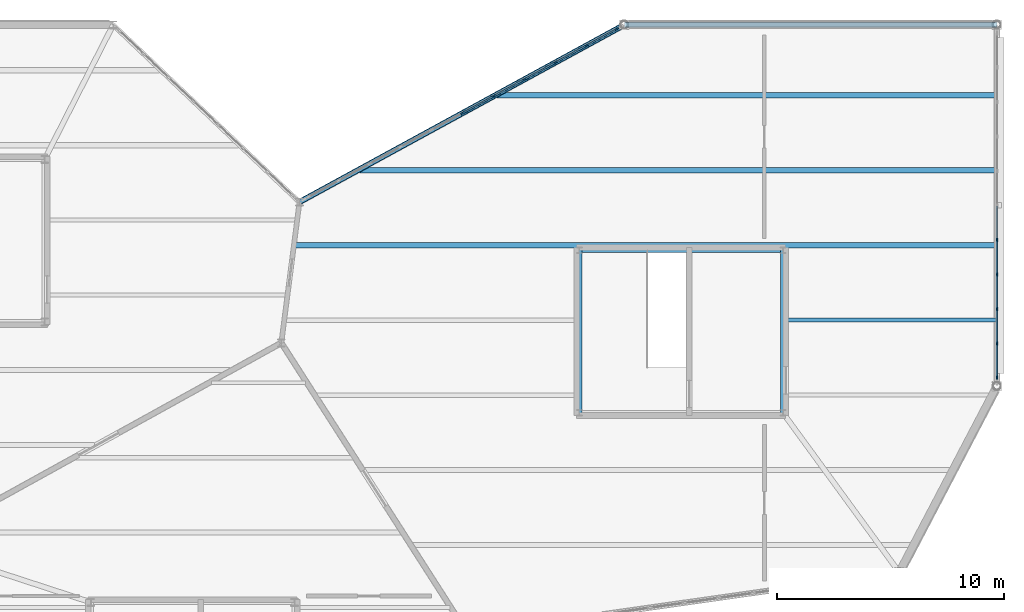
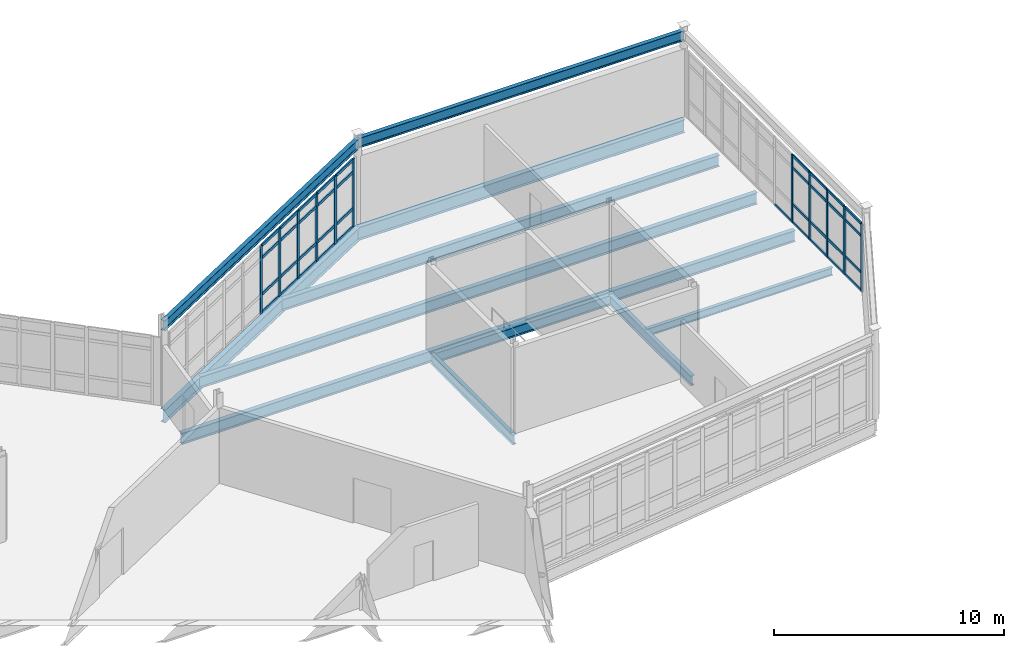
# One storey, part 66 of 114: 48 members, 11 beams, 2 elements without a shape of their own.
"""IFC4 building model written with IfcOpenShell, lengths in metres."""

from ifc_helpers import new_model, si_unit, direction, frame, origin, origin_2d, place, context, subcontext, project, spatial, rectangle, i_section, extrude, material, material_profile, profile_set, type_object, element, aggregate, save


model = new_model("IFC4")

# Units and contexts
model_context = context("Model", 3, precision=1e-05, world=origin(), true_north=direction((0.0, 1.0)))
body_context = subcontext(model_context, "Body", "Model", "MODEL_VIEW")
ifc_project = project(units=[si_unit("LENGTHUNIT", "METRE"), si_unit("AREAUNIT", "SQUARE_METRE"), si_unit("VOLUMEUNIT", "CUBIC_METRE"), si_unit("PLANEANGLEUNIT", "RADIAN"), si_unit("MASSUNIT", "GRAM", prefix="KILO")], contexts=[model_context])

# Site, building, storey
site_placement = place(None, origin())
site = spatial("IfcSite", under=ifc_project, at=site_placement, CompositionType="ELEMENT")
building_placement = place(site_placement, origin())
building = spatial("IfcBuilding", under=site, at=building_placement, Name="Tameran Prism Museum", CompositionType="ELEMENT")
storey_placement = place(building_placement, frame((0.0, 0.0, 10.199951171875)))
storey = spatial("IfcBuildingStorey", under=building, at=storey_placement, Name="L02", CompositionType="ELEMENT", Elevation=10.199951171875)

# Beams
ifc_material_1 = material(Name="Steel Grade 300PLUS (300 MPa)", Category="steel")
ifc_material_profile_1 = material_profile(ifc_material_1, i_section(OverallWidth=0.177978515625, OverallDepth=0.403076171875, WebThickness=0.007568359375, FlangeThickness=0.010986328125, FilletRadius=0.011474609375, at=origin_2d()))
ifc_profile_set_1 = profile_set([ifc_material_profile_1])
beam_type_1 = type_object("IfcBeamType", Name="BM-J410B", PredefinedType="JOIST", material=ifc_profile_set_1)
beam_1_placement = place(storey_placement, frame((156.97998046875, 99.0, -0.4013671875), z_axis=(1.0, 0.0, 0.0), x_axis=(0.0, 1.0, 0.0)))
element("IfcBeam", 1, at=beam_1_placement, inside=storey, type_object=beam_type_1, Name="Floor Beam BM-0846", PredefinedType="JOIST", context=body_context, shape_type="SweptSolid", body=[
    extrude(i_section(OverallWidth=0.177978515625, OverallDepth=0.403076171875, WebThickness=0.007568359375, FlangeThickness=0.010986328125, FilletRadius=0.011474609375, at=origin_2d()), origin(), (0.0, 0.0, 1.0), 9.380126953125),
])
ifc_material_2 = material(Name="Steel Grade 300PLUS (300 MPa)", Category="steel")
ifc_material_profile_2 = material_profile(ifc_material_2, i_section(OverallWidth=0.208984375, OverallDepth=0.528076171875, WebThickness=0.009521484375, FlangeThickness=0.01318359375, FilletRadius=0.013916015625, at=origin_2d()))
ifc_profile_set_2 = profile_set([ifc_material_profile_2])
beam_type_2 = type_object("IfcBeamType", Name="BM-SP530B", PredefinedType="SPANDREL", material=ifc_profile_set_2)
beam_2_placement = place(storey_placement, frame((166.39990234375, 112.0, 4.256103515625), z_axis=(-1.0, 0.0, 0.0), x_axis=(0.0, -1.0, 0.0)))
element("IfcBeam", 2, at=beam_2_placement, inside=storey, type_object=beam_type_2, Name="Roof Ring Beam RB-0677", PredefinedType="SPANDREL", context=body_context, shape_type="SweptSolid", body=[
    extrude(i_section(OverallWidth=0.208984375, OverallDepth=0.528076171875, WebThickness=0.009521484375, FlangeThickness=0.01318359375, FilletRadius=0.013916015625, at=origin_2d()), origin(), (0.0, 0.0, 1.0), 16.39990234375),
])
beam_3_placement = place(storey_placement, frame((150.0, 112.0, 4.256103515625), z_axis=(-0.877895000122, -0.478853180798, 0.0), x_axis=(0.478853180798, -0.877895000122, 0.0)))
element("IfcBeam", 3, at=beam_3_placement, inside=storey, type_object=beam_type_2, Name="Roof Ring Beam RB-0678", PredefinedType="SPANDREL", context=body_context, shape_type="SweptSolid", body=[
    extrude(i_section(OverallWidth=0.208984375, OverallDepth=0.528076171875, WebThickness=0.009521484375, FlangeThickness=0.01318359375, FilletRadius=0.013916015625, at=origin_2d()), origin(), (0.0, 0.0, 1.0), 16.2890625),
])
beam_4_placement = place(storey_placement, frame((156.97998046875, 94.919921875, -0.50390625), z_axis=(0.0, 1.0, 0.0), x_axis=(-1.0, 0.0, 0.0)))
element("IfcBeam", 4, at=beam_4_placement, inside=storey, type_object=beam_type_2, Name="Core Ring Beam CTB-0794", PredefinedType="SPANDREL", context=body_context, shape_type="SweptSolid", body=[
    extrude(i_section(OverallWidth=0.208984375, OverallDepth=0.528076171875, WebThickness=0.009521484375, FlangeThickness=0.01318359375, FilletRadius=0.013916015625, at=origin_2d()), origin(), (0.0, 0.0, 1.0), 7.16015625),
])
beam_5_placement = place(storey_placement, frame((156.97998046875, 102.080078125, -0.50390625), z_axis=(-1.0, 0.0, 0.0), x_axis=(0.0, -1.0, 0.0)))
element("IfcBeam", 5, at=beam_5_placement, inside=storey, type_object=beam_type_2, Name="Core Ring Beam CTB-0795", PredefinedType="SPANDREL", context=body_context, shape_type="SweptSolid", body=[
    extrude(i_section(OverallWidth=0.208984375, OverallDepth=0.528076171875, WebThickness=0.009521484375, FlangeThickness=0.01318359375, FilletRadius=0.013916015625, at=origin_2d()), origin(), (0.0, 0.0, 1.0), 8.9599609375),
])
beam_6_placement = place(storey_placement, frame((148.02001953125, 102.080078125, -0.50390625), z_axis=(0.0, -1.0, 0.0), x_axis=(1.0, 0.0, 0.0)))
element("IfcBeam", 6, at=beam_6_placement, inside=storey, type_object=beam_type_2, Name="Core Ring Beam CTB-0796", PredefinedType="SPANDREL", context=body_context, shape_type="SweptSolid", body=[
    extrude(i_section(OverallWidth=0.208984375, OverallDepth=0.528076171875, WebThickness=0.009521484375, FlangeThickness=0.01318359375, FilletRadius=0.013916015625, at=origin_2d()), origin(), (0.0, 0.0, 1.0), 7.16015625),
])
ifc_material_3 = material(Name="Steel Grade 350 (350 MPa)", Category="steel")
ifc_material_profile_3 = material_profile(ifc_material_3, i_section(OverallWidth=0.25, OverallDepth=0.699951171875, WebThickness=0.010009765625, FlangeThickness=0.02001953125, at=origin_2d()))
ifc_profile_set_3 = profile_set([ifc_material_profile_3])
beam_type_3 = type_object("IfcBeamType", Name="BM-SP700", PredefinedType="SPANDREL", material=ifc_profile_set_3)
beam_7_placement = place(storey_placement, frame((166.39990234375, 112.0, -0.550048828125), z_axis=(-1.0, 0.0, 0.0), x_axis=(0.0, -1.0, 0.0)))
element("IfcBeam", 7, at=beam_7_placement, inside=storey, type_object=beam_type_3, Name="Perimeter Spandrel SP-0672", PredefinedType="SPANDREL", context=body_context, shape_type="SweptSolid", body=[
    extrude(i_section(OverallWidth=0.25, OverallDepth=0.699951171875, WebThickness=0.010009765625, FlangeThickness=0.02001953125, at=origin_2d()), origin(), (0.0, 0.0, 1.0), 16.39990234375),
])
beam_8_placement = place(storey_placement, frame((150.0, 112.0, -0.550048828125), z_axis=(-0.877895000122, -0.478853180798, 0.0), x_axis=(0.478853180798, -0.877895000122, 0.0)))
element("IfcBeam", 8, at=beam_8_placement, inside=storey, type_object=beam_type_3, Name="Perimeter Spandrel SP-0673", PredefinedType="SPANDREL", context=body_context, shape_type="SweptSolid", body=[
    extrude(i_section(OverallWidth=0.25, OverallDepth=0.699951171875, WebThickness=0.010009765625, FlangeThickness=0.02001953125, at=origin_2d()), origin(), (0.0, 0.0, 1.0), 16.2890625),
])
ifc_material_4 = material(Name="Steel Grade 300PLUS (300 MPa)", Category="steel")
ifc_material_profile_4 = material_profile(ifc_material_4, i_section(OverallWidth=0.22802734375, OverallDepth=0.60693359375, WebThickness=0.01123046875, FlangeThickness=0.017333984375, FilletRadius=0.013916015625, at=origin_2d()))
ifc_profile_set_4 = profile_set([ifc_material_profile_4])
beam_type_4 = type_object("IfcBeamType", Name="BM-UB610B", PredefinedType="BEAM", material=ifc_profile_set_4)
beam_9_placement = place(storey_placement, frame((135.4951171875, 102.300048828125, -0.50341796875), z_axis=(1.0, 0.0, 0.0), x_axis=(0.0, 1.0, 0.0)))
element("IfcBeam", 9, at=beam_9_placement, inside=storey, type_object=beam_type_4, Name="Floor Beam BM-0847", PredefinedType="BEAM", context=body_context, shape_type="SweptSolid", body=[
    extrude(i_section(OverallWidth=0.22802734375, OverallDepth=0.60693359375, WebThickness=0.01123046875, FlangeThickness=0.017333984375, FilletRadius=0.013916015625, at=origin_2d()), origin(), (0.0, 0.0, 1.0), 30.864990234375),
])
beam_10_placement = place(storey_placement, frame((138.35009765625, 105.60009765625, -0.50341796875), z_axis=(1.0, 0.0, 0.0), x_axis=(0.0, 1.0, 0.0)))
element("IfcBeam", 10, at=beam_10_placement, inside=storey, type_object=beam_type_4, Name="Floor Beam BM-0848", PredefinedType="BEAM", context=body_context, shape_type="SweptSolid", body=[
    extrude(i_section(OverallWidth=0.22802734375, OverallDepth=0.60693359375, WebThickness=0.01123046875, FlangeThickness=0.017333984375, FilletRadius=0.013916015625, at=origin_2d()), origin(), (0.0, 0.0, 1.0), 28.010009765625),
])
beam_11_placement = place(storey_placement, frame((144.39990234375, 108.89990234375, -0.50341796875), z_axis=(1.0, 0.0, 0.0), x_axis=(0.0, 1.0, 0.0)))
element("IfcBeam", 11, at=beam_11_placement, inside=storey, type_object=beam_type_4, Name="Floor Beam BM-0849", PredefinedType="BEAM", context=body_context, shape_type="SweptSolid", body=[
    extrude(i_section(OverallWidth=0.22802734375, OverallDepth=0.60693359375, WebThickness=0.01123046875, FlangeThickness=0.017333984375, FilletRadius=0.013916015625, at=origin_2d()), origin(), (0.0, 0.0, 1.0), 21.960205078125),
])

# Curtain wall, members
ifc_material_5 = material(Name="Anodised Aluminium 6063-T6 and Cyclone Solar Glass", Category="aluminium")
curtain_wall_type_1 = type_object("IfcCurtainWallType", Name="CW-FAC-1520x362", PredefinedType="USERDEFINED", material=ifc_material_5)
curtain_wall_1_placement = place(storey_placement, origin())
curtain_wall_1 = element("IfcCurtainWall", 12, at=curtain_wall_1_placement, inside=storey, type_object=curtain_wall_type_1, Name="Unitised Curtain Wall CW-103", ObjectType="UNITISED CURTAIN WALL", PredefinedType="USERDEFINED")
ifc_material_6 = material(Name="Anodised Aluminium Alloy 6063-T6", Category="aluminium")
ifc_material_profile_5 = material_profile(ifc_material_6, rectangle(XDim=0.06494140625, YDim=0.159912109375, at=origin_2d()))
ifc_profile_set_5 = profile_set([ifc_material_profile_5])
member_type_1 = type_object("IfcMemberType", Name="CW-MUL-A", PredefinedType="MULLION", material=ifc_profile_set_5)
member_1_placement = place(storey_placement, frame((166.39990234375, 102.530029296875, 0.0), z_axis=(0.0, 0.0, 1.0), x_axis=(1.0, 0.0, 0.0)))
member_1 = element("IfcMember", 13, at=member_1_placement, type_object=member_type_1, Name="CW-103 mullion 7", PredefinedType="MULLION", context=body_context, shape_type="SweptSolid", body=[
    extrude(rectangle(XDim=0.06494140625, YDim=0.159912109375, at=origin_2d()), origin(), (0.0, 0.0, 1.0), 3.6201171875),
])
member_2_placement = place(storey_placement, frame((166.39990234375, 101.010009765625, 0.0), z_axis=(0.0, 0.0, 1.0), x_axis=(1.0, 0.0, 0.0)))
member_2 = element("IfcMember", 14, at=member_2_placement, type_object=member_type_1, Name="CW-103 mullion 8", PredefinedType="MULLION", context=body_context, shape_type="SweptSolid", body=[
    extrude(rectangle(XDim=0.06494140625, YDim=0.159912109375, at=origin_2d()), origin(), (0.0, 0.0, 1.0), 3.6201171875),
])
member_3_placement = place(storey_placement, frame((166.39990234375, 99.489990234375, 0.0), z_axis=(0.0, 0.0, 1.0), x_axis=(1.0, 0.0, 0.0)))
member_3 = element("IfcMember", 15, at=member_3_placement, type_object=member_type_1, Name="CW-103 mullion 9", PredefinedType="MULLION", context=body_context, shape_type="SweptSolid", body=[
    extrude(rectangle(XDim=0.06494140625, YDim=0.159912109375, at=origin_2d()), origin(), (0.0, 0.0, 1.0), 3.6201171875),
])
member_4_placement = place(storey_placement, frame((166.39990234375, 97.969970703125, 0.0), z_axis=(0.0, 0.0, 1.0), x_axis=(1.0, 0.0, 0.0)))
member_4 = element("IfcMember", 16, at=member_4_placement, type_object=member_type_1, Name="CW-103 mullion 10", PredefinedType="MULLION", context=body_context, shape_type="SweptSolid", body=[
    extrude(rectangle(XDim=0.06494140625, YDim=0.159912109375, at=origin_2d()), origin(), (0.0, 0.0, 1.0), 3.6201171875),
])
member_5_placement = place(storey_placement, frame((166.39990234375, 96.482421875, 0.0), z_axis=(0.0, 0.0, 1.0), x_axis=(1.0, 0.0, 0.0)))
member_5 = element("IfcMember", 17, at=member_5_placement, type_object=member_type_1, Name="CW-103 mullion 11", PredefinedType="MULLION", context=body_context, shape_type="SweptSolid", body=[
    extrude(rectangle(XDim=0.06494140625, YDim=0.159912109375, at=origin_2d()), origin(), (0.0, 0.0, 1.0), 3.6201171875),
])

ifc_material_7 = material(Name="Anodised Aluminium 6063-T6 and Cyclone Solar Glass", Category="aluminium")
curtain_wall_type_2 = type_object("IfcCurtainWallType", Name="CW-FAC-1553x362", PredefinedType="USERDEFINED", material=ifc_material_7)
curtain_wall_2_placement = place(storey_placement, origin())
curtain_wall_2 = element("IfcCurtainWall", 18, at=curtain_wall_2_placement, inside=storey, type_object=curtain_wall_type_2, Name="Unitised Curtain Wall CW-104", ObjectType="UNITISED CURTAIN WALL", PredefinedType="USERDEFINED")
ifc_material_8 = material(Name="Anodised Aluminium Alloy 6063-T6", Category="aluminium")
ifc_material_profile_6 = material_profile(ifc_material_8, rectangle(XDim=0.070068359375, YDim=0.179931640625, at=origin_2d()))
ifc_profile_set_6 = profile_set([ifc_material_profile_6])
member_type_2 = type_object("IfcMemberType", Name="CW-MUL-B", PredefinedType="MULLION", material=ifc_profile_set_6)
member_6_placement = place(storey_placement, frame((142.87646484375, 108.114501953125, 0.0), z_axis=(0.0, 0.0, 1.0), x_axis=(-0.478793474805, 0.877927564486, 0.0)))
member_6 = element("IfcMember", 19, at=member_6_placement, type_object=member_type_2, Name="CW-104 mullion 6", PredefinedType="MULLION", context=body_context, shape_type="SweptSolid", body=[
    extrude(rectangle(XDim=0.070068359375, YDim=0.179931640625, at=origin_2d()), origin(), (0.0, 0.0, 1.0), 3.6201171875),
])
member_7_placement = place(storey_placement, frame((144.23974609375, 108.85791015625, 0.0), z_axis=(0.0, 0.0, 1.0), x_axis=(-0.478793474805, 0.877927564486, 0.0)))
member_7 = element("IfcMember", 20, at=member_7_placement, type_object=member_type_2, Name="CW-104 mullion 7", PredefinedType="MULLION", context=body_context, shape_type="SweptSolid", body=[
    extrude(rectangle(XDim=0.070068359375, YDim=0.179931640625, at=origin_2d()), origin(), (0.0, 0.0, 1.0), 3.6201171875),
])
member_8_placement = place(storey_placement, frame((145.60302734375, 109.6015625, 0.0), z_axis=(0.0, 0.0, 1.0), x_axis=(-0.478793474805, 0.877927564486, 0.0)))
member_8 = element("IfcMember", 21, at=member_8_placement, type_object=member_type_2, Name="CW-104 mullion 8", PredefinedType="MULLION", context=body_context, shape_type="SweptSolid", body=[
    extrude(rectangle(XDim=0.070068359375, YDim=0.179931640625, at=origin_2d()), origin(), (0.0, 0.0, 1.0), 3.6201171875),
])
member_9_placement = place(storey_placement, frame((146.96630859375, 110.344970703125, 0.0), z_axis=(0.0, 0.0, 1.0), x_axis=(-0.478793474805, 0.877927564486, 0.0)))
member_9 = element("IfcMember", 22, at=member_9_placement, type_object=member_type_2, Name="CW-104 mullion 9", PredefinedType="MULLION", context=body_context, shape_type="SweptSolid", body=[
    extrude(rectangle(XDim=0.070068359375, YDim=0.179931640625, at=origin_2d()), origin(), (0.0, 0.0, 1.0), 3.6201171875),
])
member_10_placement = place(storey_placement, frame((148.32958984375, 111.08837890625, 0.0), z_axis=(0.0, 0.0, 1.0), x_axis=(-0.478793474805, 0.877927564486, 0.0)))
member_10 = element("IfcMember", 23, at=member_10_placement, type_object=member_type_2, Name="CW-104 mullion 10", PredefinedType="MULLION", context=body_context, shape_type="SweptSolid", body=[
    extrude(rectangle(XDim=0.070068359375, YDim=0.179931640625, at=origin_2d()), origin(), (0.0, 0.0, 1.0), 3.6201171875),
])
member_11_placement = place(storey_placement, frame((149.662353515625, 111.815185546875, 0.0), z_axis=(0.0, 0.0, 1.0), x_axis=(-0.478793474805, 0.877927564486, 0.0)))
member_11 = element("IfcMember", 24, at=member_11_placement, type_object=member_type_2, Name="CW-104 mullion 11", PredefinedType="MULLION", context=body_context, shape_type="SweptSolid", body=[
    extrude(rectangle(XDim=0.070068359375, YDim=0.179931640625, at=origin_2d()), origin(), (0.0, 0.0, 1.0), 3.6201171875),
])

# Member
ifc_material_9 = material(Name="Anodised Aluminium Alloy 6063-T6", Category="aluminium")
ifc_material_profile_7 = material_profile(ifc_material_9, rectangle(XDim=0.06494140625, YDim=0.139892578125, at=origin_2d()))
ifc_profile_set_7 = profile_set([ifc_material_profile_7])
member_type_3 = type_object("IfcMemberType", Name="CW-TRN-A", PredefinedType="USERDEFINED", material=ifc_profile_set_7)
member_12_placement = place(storey_placement, frame((166.39990234375, 104.017578125, 0.032470703125), z_axis=(0.0, -1.0, 0.0), x_axis=(1.0, 0.0, 0.0)))
member_12 = element("IfcMember", 25, at=member_12_placement, type_object=member_type_3, Name="CW-103 transom 6.1", ObjectType="TRANSOM", PredefinedType="USERDEFINED", context=body_context, shape_type="SweptSolid", body=[
    extrude(rectangle(XDim=0.06494140625, YDim=0.139892578125, at=origin_2d()), origin(), (0.0, 0.0, 1.0), 1.455078125),
])

member_13_placement = place(storey_placement, frame((166.39990234375, 102.49755859375, 0.032470703125), z_axis=(0.0, -1.0, 0.0), x_axis=(1.0, 0.0, 0.0)))
member_13 = element("IfcMember", 26, at=member_13_placement, type_object=member_type_3, Name="CW-103 transom 7.1", ObjectType="TRANSOM", PredefinedType="USERDEFINED", context=body_context, shape_type="SweptSolid", body=[
    extrude(rectangle(XDim=0.06494140625, YDim=0.139892578125, at=origin_2d()), origin(), (0.0, 0.0, 1.0), 1.455078125),
])

member_14_placement = place(storey_placement, frame((166.39990234375, 102.49755859375, 1.0), z_axis=(0.0, -1.0, 0.0), x_axis=(1.0, 0.0, 0.0)))
member_14 = element("IfcMember", 27, at=member_14_placement, type_object=member_type_3, Name="CW-103 transom 7.2", ObjectType="TRANSOM", PredefinedType="USERDEFINED", context=body_context, shape_type="SweptSolid", body=[
    extrude(rectangle(XDim=0.06494140625, YDim=0.139892578125, at=origin_2d()), origin(), (0.0, 0.0, 1.0), 1.455078125),
])

member_15_placement = place(storey_placement, frame((166.39990234375, 102.49755859375, 2.93994140625), z_axis=(0.0, -1.0, 0.0), x_axis=(1.0, 0.0, 0.0)))
member_15 = element("IfcMember", 28, at=member_15_placement, type_object=member_type_3, Name="CW-103 transom 7.3", ObjectType="TRANSOM", PredefinedType="USERDEFINED", context=body_context, shape_type="SweptSolid", body=[
    extrude(rectangle(XDim=0.06494140625, YDim=0.139892578125, at=origin_2d()), origin(), (0.0, 0.0, 1.0), 1.455078125),
])

member_16_placement = place(storey_placement, frame((166.39990234375, 102.49755859375, 3.587646484375), z_axis=(0.0, -1.0, 0.0), x_axis=(1.0, 0.0, 0.0)))
member_16 = element("IfcMember", 29, at=member_16_placement, type_object=member_type_3, Name="CW-103 transom 7.4", ObjectType="TRANSOM", PredefinedType="USERDEFINED", context=body_context, shape_type="SweptSolid", body=[
    extrude(rectangle(XDim=0.06494140625, YDim=0.139892578125, at=origin_2d()), origin(), (0.0, 0.0, 1.0), 1.455078125),
])

member_17_placement = place(storey_placement, frame((166.39990234375, 100.9775390625, 0.032470703125), z_axis=(0.0, -1.0, 0.0), x_axis=(1.0, 0.0, 0.0)))
member_17 = element("IfcMember", 30, at=member_17_placement, type_object=member_type_3, Name="CW-103 transom 8.1", ObjectType="TRANSOM", PredefinedType="USERDEFINED", context=body_context, shape_type="SweptSolid", body=[
    extrude(rectangle(XDim=0.06494140625, YDim=0.139892578125, at=origin_2d()), origin(), (0.0, 0.0, 1.0), 1.455078125),
])

member_18_placement = place(storey_placement, frame((166.39990234375, 100.9775390625, 1.0), z_axis=(0.0, -1.0, 0.0), x_axis=(1.0, 0.0, 0.0)))
member_18 = element("IfcMember", 31, at=member_18_placement, type_object=member_type_3, Name="CW-103 transom 8.2", ObjectType="TRANSOM", PredefinedType="USERDEFINED", context=body_context, shape_type="SweptSolid", body=[
    extrude(rectangle(XDim=0.06494140625, YDim=0.139892578125, at=origin_2d()), origin(), (0.0, 0.0, 1.0), 1.455078125),
])

member_19_placement = place(storey_placement, frame((166.39990234375, 100.9775390625, 2.93994140625), z_axis=(0.0, -1.0, 0.0), x_axis=(1.0, 0.0, 0.0)))
member_19 = element("IfcMember", 32, at=member_19_placement, type_object=member_type_3, Name="CW-103 transom 8.3", ObjectType="TRANSOM", PredefinedType="USERDEFINED", context=body_context, shape_type="SweptSolid", body=[
    extrude(rectangle(XDim=0.06494140625, YDim=0.139892578125, at=origin_2d()), origin(), (0.0, 0.0, 1.0), 1.455078125),
])

member_20_placement = place(storey_placement, frame((166.39990234375, 100.9775390625, 3.587646484375), z_axis=(0.0, -1.0, 0.0), x_axis=(1.0, 0.0, 0.0)))
member_20 = element("IfcMember", 33, at=member_20_placement, type_object=member_type_3, Name="CW-103 transom 8.4", ObjectType="TRANSOM", PredefinedType="USERDEFINED", context=body_context, shape_type="SweptSolid", body=[
    extrude(rectangle(XDim=0.06494140625, YDim=0.139892578125, at=origin_2d()), origin(), (0.0, 0.0, 1.0), 1.455078125),
])

member_21_placement = place(storey_placement, frame((166.39990234375, 99.45751953125, 0.032470703125), z_axis=(0.0, -1.0, 0.0), x_axis=(1.0, 0.0, 0.0)))
member_21 = element("IfcMember", 34, at=member_21_placement, type_object=member_type_3, Name="CW-103 transom 9.1", ObjectType="TRANSOM", PredefinedType="USERDEFINED", context=body_context, shape_type="SweptSolid", body=[
    extrude(rectangle(XDim=0.06494140625, YDim=0.139892578125, at=origin_2d()), origin(), (0.0, 0.0, 1.0), 1.455078125),
])

member_22_placement = place(storey_placement, frame((166.39990234375, 99.45751953125, 1.0), z_axis=(0.0, -1.0, 0.0), x_axis=(1.0, 0.0, 0.0)))
member_22 = element("IfcMember", 35, at=member_22_placement, type_object=member_type_3, Name="CW-103 transom 9.2", ObjectType="TRANSOM", PredefinedType="USERDEFINED", context=body_context, shape_type="SweptSolid", body=[
    extrude(rectangle(XDim=0.06494140625, YDim=0.139892578125, at=origin_2d()), origin(), (0.0, 0.0, 1.0), 1.455078125),
])

member_23_placement = place(storey_placement, frame((166.39990234375, 99.45751953125, 2.93994140625), z_axis=(0.0, -1.0, 0.0), x_axis=(1.0, 0.0, 0.0)))
member_23 = element("IfcMember", 36, at=member_23_placement, type_object=member_type_3, Name="CW-103 transom 9.3", ObjectType="TRANSOM", PredefinedType="USERDEFINED", context=body_context, shape_type="SweptSolid", body=[
    extrude(rectangle(XDim=0.06494140625, YDim=0.139892578125, at=origin_2d()), origin(), (0.0, 0.0, 1.0), 1.455078125),
])

member_24_placement = place(storey_placement, frame((166.39990234375, 99.45751953125, 3.587646484375), z_axis=(0.0, -1.0, 0.0), x_axis=(1.0, 0.0, 0.0)))
member_24 = element("IfcMember", 37, at=member_24_placement, type_object=member_type_3, Name="CW-103 transom 9.4", ObjectType="TRANSOM", PredefinedType="USERDEFINED", context=body_context, shape_type="SweptSolid", body=[
    extrude(rectangle(XDim=0.06494140625, YDim=0.139892578125, at=origin_2d()), origin(), (0.0, 0.0, 1.0), 1.455078125),
])

member_25_placement = place(storey_placement, frame((166.39990234375, 97.9375, 0.032470703125), z_axis=(0.0, -1.0, 0.0), x_axis=(1.0, 0.0, 0.0)))
member_25 = element("IfcMember", 38, at=member_25_placement, type_object=member_type_3, Name="CW-103 transom 10.1", ObjectType="TRANSOM", PredefinedType="USERDEFINED", context=body_context, shape_type="SweptSolid", body=[
    extrude(rectangle(XDim=0.06494140625, YDim=0.139892578125, at=origin_2d()), origin(), (0.0, 0.0, 1.0), 1.422607421875),
])

member_26_placement = place(storey_placement, frame((166.39990234375, 97.9375, 1.0), z_axis=(0.0, -1.0, 0.0), x_axis=(1.0, 0.0, 0.0)))
member_26 = element("IfcMember", 39, at=member_26_placement, type_object=member_type_3, Name="CW-103 transom 10.2", ObjectType="TRANSOM", PredefinedType="USERDEFINED", context=body_context, shape_type="SweptSolid", body=[
    extrude(rectangle(XDim=0.06494140625, YDim=0.139892578125, at=origin_2d()), origin(), (0.0, 0.0, 1.0), 1.422607421875),
])

member_27_placement = place(storey_placement, frame((166.39990234375, 97.9375, 2.93994140625), z_axis=(0.0, -1.0, 0.0), x_axis=(1.0, 0.0, 0.0)))
member_27 = element("IfcMember", 40, at=member_27_placement, type_object=member_type_3, Name="CW-103 transom 10.3", ObjectType="TRANSOM", PredefinedType="USERDEFINED", context=body_context, shape_type="SweptSolid", body=[
    extrude(rectangle(XDim=0.06494140625, YDim=0.139892578125, at=origin_2d()), origin(), (0.0, 0.0, 1.0), 1.422607421875),
])

member_28_placement = place(storey_placement, frame((166.39990234375, 97.9375, 3.587646484375), z_axis=(0.0, -1.0, 0.0), x_axis=(1.0, 0.0, 0.0)))
member_28 = element("IfcMember", 41, at=member_28_placement, type_object=member_type_3, Name="CW-103 transom 10.4", ObjectType="TRANSOM", PredefinedType="USERDEFINED", context=body_context, shape_type="SweptSolid", body=[
    extrude(rectangle(XDim=0.06494140625, YDim=0.139892578125, at=origin_2d()), origin(), (0.0, 0.0, 1.0), 1.422607421875),
])

aggregate(curtain_wall_1, [member_1, member_2, member_3, member_4, member_5, member_12, member_13, member_14, member_15, member_16, member_17, member_18, member_19, member_20, member_21, member_22, member_23, member_24, member_25, member_26, member_27, member_28])

ifc_material_10 = material(Name="Anodised Aluminium Alloy 6063-T6", Category="aluminium")
ifc_material_profile_8 = material_profile(ifc_material_10, rectangle(XDim=0.070068359375, YDim=0.155029296875, at=origin_2d()))
ifc_profile_set_8 = profile_set([ifc_material_profile_8])
member_type_4 = type_object("IfcMemberType", Name="CW-TRN-B", PredefinedType="USERDEFINED", material=ifc_profile_set_8)
member_29_placement = place(storey_placement, frame((142.9072265625, 108.13134765625, 0.03515625), z_axis=(0.877920741327, 0.478805985705, 0.0), x_axis=(-0.478805985705, 0.877920741327, 0.0)))
member_29 = element("IfcMember", 42, at=member_29_placement, type_object=member_type_4, Name="CW-104 transom 6.1", ObjectType="TRANSOM", PredefinedType="USERDEFINED", context=body_context, shape_type="SweptSolid", body=[
    extrude(rectangle(XDim=0.070068359375, YDim=0.155029296875, at=origin_2d()), origin(), (0.0, 0.0, 1.0), 1.482666015625),
])

member_30_placement = place(storey_placement, frame((142.9072265625, 108.13134765625, 1.0), z_axis=(0.877920741327, 0.478805985705, 0.0), x_axis=(-0.478805985705, 0.877920741327, 0.0)))
member_30 = element("IfcMember", 43, at=member_30_placement, type_object=member_type_4, Name="CW-104 transom 6.2", ObjectType="TRANSOM", PredefinedType="USERDEFINED", context=body_context, shape_type="SweptSolid", body=[
    extrude(rectangle(XDim=0.070068359375, YDim=0.155029296875, at=origin_2d()), origin(), (0.0, 0.0, 1.0), 1.482666015625),
])

member_31_placement = place(storey_placement, frame((142.9072265625, 108.13134765625, 2.93994140625), z_axis=(0.877920741327, 0.478805985705, 0.0), x_axis=(-0.478805985705, 0.877920741327, 0.0)))
member_31 = element("IfcMember", 44, at=member_31_placement, type_object=member_type_4, Name="CW-104 transom 6.3", ObjectType="TRANSOM", PredefinedType="USERDEFINED", context=body_context, shape_type="SweptSolid", body=[
    extrude(rectangle(XDim=0.070068359375, YDim=0.155029296875, at=origin_2d()), origin(), (0.0, 0.0, 1.0), 1.482666015625),
])

member_32_placement = place(storey_placement, frame((142.9072265625, 108.13134765625, 3.5849609375), z_axis=(0.877920741327, 0.478805985705, 0.0), x_axis=(-0.478805985705, 0.877920741327, 0.0)))
member_32 = element("IfcMember", 45, at=member_32_placement, type_object=member_type_4, Name="CW-104 transom 6.4", ObjectType="TRANSOM", PredefinedType="USERDEFINED", context=body_context, shape_type="SweptSolid", body=[
    extrude(rectangle(XDim=0.070068359375, YDim=0.155029296875, at=origin_2d()), origin(), (0.0, 0.0, 1.0), 1.482666015625),
])

member_33_placement = place(storey_placement, frame((144.2705078125, 108.874755859375, 0.03515625), z_axis=(0.877920741327, 0.478805985705, 0.0), x_axis=(-0.478805985705, 0.877920741327, 0.0)))
member_33 = element("IfcMember", 46, at=member_33_placement, type_object=member_type_4, Name="CW-104 transom 7.1", ObjectType="TRANSOM", PredefinedType="USERDEFINED", context=body_context, shape_type="SweptSolid", body=[
    extrude(rectangle(XDim=0.070068359375, YDim=0.155029296875, at=origin_2d()), origin(), (0.0, 0.0, 1.0), 1.482666015625),
])

member_34_placement = place(storey_placement, frame((144.2705078125, 108.874755859375, 1.0), z_axis=(0.877920741327, 0.478805985705, 0.0), x_axis=(-0.478805985705, 0.877920741327, 0.0)))
member_34 = element("IfcMember", 47, at=member_34_placement, type_object=member_type_4, Name="CW-104 transom 7.2", ObjectType="TRANSOM", PredefinedType="USERDEFINED", context=body_context, shape_type="SweptSolid", body=[
    extrude(rectangle(XDim=0.070068359375, YDim=0.155029296875, at=origin_2d()), origin(), (0.0, 0.0, 1.0), 1.482666015625),
])

member_35_placement = place(storey_placement, frame((144.2705078125, 108.874755859375, 2.93994140625), z_axis=(0.877920741327, 0.478805985705, 0.0), x_axis=(-0.478805985705, 0.877920741327, 0.0)))
member_35 = element("IfcMember", 48, at=member_35_placement, type_object=member_type_4, Name="CW-104 transom 7.3", ObjectType="TRANSOM", PredefinedType="USERDEFINED", context=body_context, shape_type="SweptSolid", body=[
    extrude(rectangle(XDim=0.070068359375, YDim=0.155029296875, at=origin_2d()), origin(), (0.0, 0.0, 1.0), 1.482666015625),
])

member_36_placement = place(storey_placement, frame((144.2705078125, 108.874755859375, 3.5849609375), z_axis=(0.877920741327, 0.478805985705, 0.0), x_axis=(-0.478805985705, 0.877920741327, 0.0)))
member_36 = element("IfcMember", 49, at=member_36_placement, type_object=member_type_4, Name="CW-104 transom 7.4", ObjectType="TRANSOM", PredefinedType="USERDEFINED", context=body_context, shape_type="SweptSolid", body=[
    extrude(rectangle(XDim=0.070068359375, YDim=0.155029296875, at=origin_2d()), origin(), (0.0, 0.0, 1.0), 1.482666015625),
])

member_37_placement = place(storey_placement, frame((145.6337890625, 109.6181640625, 0.03515625), z_axis=(0.877958480307, 0.478736782436, 0.0), x_axis=(-0.478736782436, 0.877958480307, 0.0)))
member_37 = element("IfcMember", 50, at=member_37_placement, type_object=member_type_4, Name="CW-104 transom 8.1", ObjectType="TRANSOM", PredefinedType="USERDEFINED", context=body_context, shape_type="SweptSolid", body=[
    extrude(rectangle(XDim=0.070068359375, YDim=0.155029296875, at=origin_2d()), origin(), (0.0, 0.0, 1.0), 1.48291015625),
])

member_38_placement = place(storey_placement, frame((145.6337890625, 109.6181640625, 1.0), z_axis=(0.877958480307, 0.478736782436, 0.0), x_axis=(-0.478736782436, 0.877958480307, 0.0)))
member_38 = element("IfcMember", 51, at=member_38_placement, type_object=member_type_4, Name="CW-104 transom 8.2", ObjectType="TRANSOM", PredefinedType="USERDEFINED", context=body_context, shape_type="SweptSolid", body=[
    extrude(rectangle(XDim=0.070068359375, YDim=0.155029296875, at=origin_2d()), origin(), (0.0, 0.0, 1.0), 1.48291015625),
])

member_39_placement = place(storey_placement, frame((145.6337890625, 109.6181640625, 2.93994140625), z_axis=(0.877958480307, 0.478736782436, 0.0), x_axis=(-0.478736782436, 0.877958480307, 0.0)))
member_39 = element("IfcMember", 52, at=member_39_placement, type_object=member_type_4, Name="CW-104 transom 8.3", ObjectType="TRANSOM", PredefinedType="USERDEFINED", context=body_context, shape_type="SweptSolid", body=[
    extrude(rectangle(XDim=0.070068359375, YDim=0.155029296875, at=origin_2d()), origin(), (0.0, 0.0, 1.0), 1.48291015625),
])

member_40_placement = place(storey_placement, frame((145.6337890625, 109.6181640625, 3.5849609375), z_axis=(0.877958480307, 0.478736782436, 0.0), x_axis=(-0.478736782436, 0.877958480307, 0.0)))
member_40 = element("IfcMember", 53, at=member_40_placement, type_object=member_type_4, Name="CW-104 transom 8.4", ObjectType="TRANSOM", PredefinedType="USERDEFINED", context=body_context, shape_type="SweptSolid", body=[
    extrude(rectangle(XDim=0.070068359375, YDim=0.155029296875, at=origin_2d()), origin(), (0.0, 0.0, 1.0), 1.48291015625),
])

member_41_placement = place(storey_placement, frame((146.9970703125, 110.36181640625, 0.03515625), z_axis=(0.877958480307, 0.478736782436, 0.0), x_axis=(-0.478736782436, 0.877958480307, 0.0)))
member_41 = element("IfcMember", 54, at=member_41_placement, type_object=member_type_4, Name="CW-104 transom 9.1", ObjectType="TRANSOM", PredefinedType="USERDEFINED", context=body_context, shape_type="SweptSolid", body=[
    extrude(rectangle(XDim=0.070068359375, YDim=0.155029296875, at=origin_2d()), origin(), (0.0, 0.0, 1.0), 1.48291015625),
])

member_42_placement = place(storey_placement, frame((146.9970703125, 110.36181640625, 1.0), z_axis=(0.877958480307, 0.478736782436, 0.0), x_axis=(-0.478736782436, 0.877958480307, 0.0)))
member_42 = element("IfcMember", 55, at=member_42_placement, type_object=member_type_4, Name="CW-104 transom 9.2", ObjectType="TRANSOM", PredefinedType="USERDEFINED", context=body_context, shape_type="SweptSolid", body=[
    extrude(rectangle(XDim=0.070068359375, YDim=0.155029296875, at=origin_2d()), origin(), (0.0, 0.0, 1.0), 1.48291015625),
])

member_43_placement = place(storey_placement, frame((146.9970703125, 110.36181640625, 2.93994140625), z_axis=(0.877958480307, 0.478736782436, 0.0), x_axis=(-0.478736782436, 0.877958480307, 0.0)))
member_43 = element("IfcMember", 56, at=member_43_placement, type_object=member_type_4, Name="CW-104 transom 9.3", ObjectType="TRANSOM", PredefinedType="USERDEFINED", context=body_context, shape_type="SweptSolid", body=[
    extrude(rectangle(XDim=0.070068359375, YDim=0.155029296875, at=origin_2d()), origin(), (0.0, 0.0, 1.0), 1.48291015625),
])

member_44_placement = place(storey_placement, frame((146.9970703125, 110.36181640625, 3.5849609375), z_axis=(0.877958480307, 0.478736782436, 0.0), x_axis=(-0.478736782436, 0.877958480307, 0.0)))
member_44 = element("IfcMember", 57, at=member_44_placement, type_object=member_type_4, Name="CW-104 transom 9.4", ObjectType="TRANSOM", PredefinedType="USERDEFINED", context=body_context, shape_type="SweptSolid", body=[
    extrude(rectangle(XDim=0.070068359375, YDim=0.155029296875, at=origin_2d()), origin(), (0.0, 0.0, 1.0), 1.48291015625),
])

member_45_placement = place(storey_placement, frame((148.3603515625, 111.105224609375, 0.03515625), z_axis=(0.877908459342, 0.478828504807, 0.0), x_axis=(-0.478828504807, 0.877908459342, 0.0)))
member_45 = element("IfcMember", 58, at=member_45_placement, type_object=member_type_4, Name="CW-104 transom 10.1", ObjectType="TRANSOM", PredefinedType="USERDEFINED", context=body_context, shape_type="SweptSolid", body=[
    extrude(rectangle(XDim=0.070068359375, YDim=0.155029296875, at=origin_2d()), origin(), (0.0, 0.0, 1.0), 1.447998046875),
])

member_46_placement = place(storey_placement, frame((148.3603515625, 111.105224609375, 1.0), z_axis=(0.877908459342, 0.478828504807, 0.0), x_axis=(-0.478828504807, 0.877908459342, 0.0)))
member_46 = element("IfcMember", 59, at=member_46_placement, type_object=member_type_4, Name="CW-104 transom 10.2", ObjectType="TRANSOM", PredefinedType="USERDEFINED", context=body_context, shape_type="SweptSolid", body=[
    extrude(rectangle(XDim=0.070068359375, YDim=0.155029296875, at=origin_2d()), origin(), (0.0, 0.0, 1.0), 1.447998046875),
])

member_47_placement = place(storey_placement, frame((148.3603515625, 111.105224609375, 2.93994140625), z_axis=(0.877908459342, 0.478828504807, 0.0), x_axis=(-0.478828504807, 0.877908459342, 0.0)))
member_47 = element("IfcMember", 60, at=member_47_placement, type_object=member_type_4, Name="CW-104 transom 10.3", ObjectType="TRANSOM", PredefinedType="USERDEFINED", context=body_context, shape_type="SweptSolid", body=[
    extrude(rectangle(XDim=0.070068359375, YDim=0.155029296875, at=origin_2d()), origin(), (0.0, 0.0, 1.0), 1.447998046875),
])

member_48_placement = place(storey_placement, frame((148.3603515625, 111.105224609375, 3.5849609375), z_axis=(0.877908459342, 0.478828504807, 0.0), x_axis=(-0.478828504807, 0.877908459342, 0.0)))
member_48 = element("IfcMember", 61, at=member_48_placement, type_object=member_type_4, Name="CW-104 transom 10.4", ObjectType="TRANSOM", PredefinedType="USERDEFINED", context=body_context, shape_type="SweptSolid", body=[
    extrude(rectangle(XDim=0.070068359375, YDim=0.155029296875, at=origin_2d()), origin(), (0.0, 0.0, 1.0), 1.447998046875),
])

aggregate(curtain_wall_2, [member_6, member_7, member_8, member_9, member_10, member_11, member_29, member_30, member_31, member_32, member_33, member_34, member_35, member_36, member_37, member_38, member_39, member_40, member_41, member_42, member_43, member_44, member_45, member_46, member_47, member_48])

save(model, "model.ifc")
